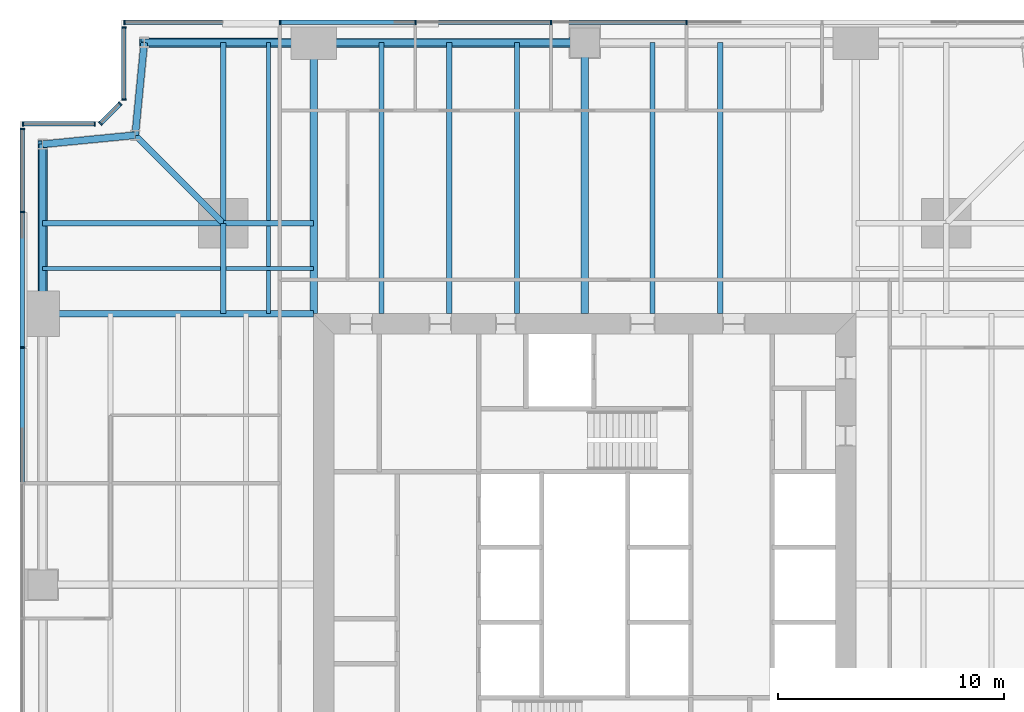
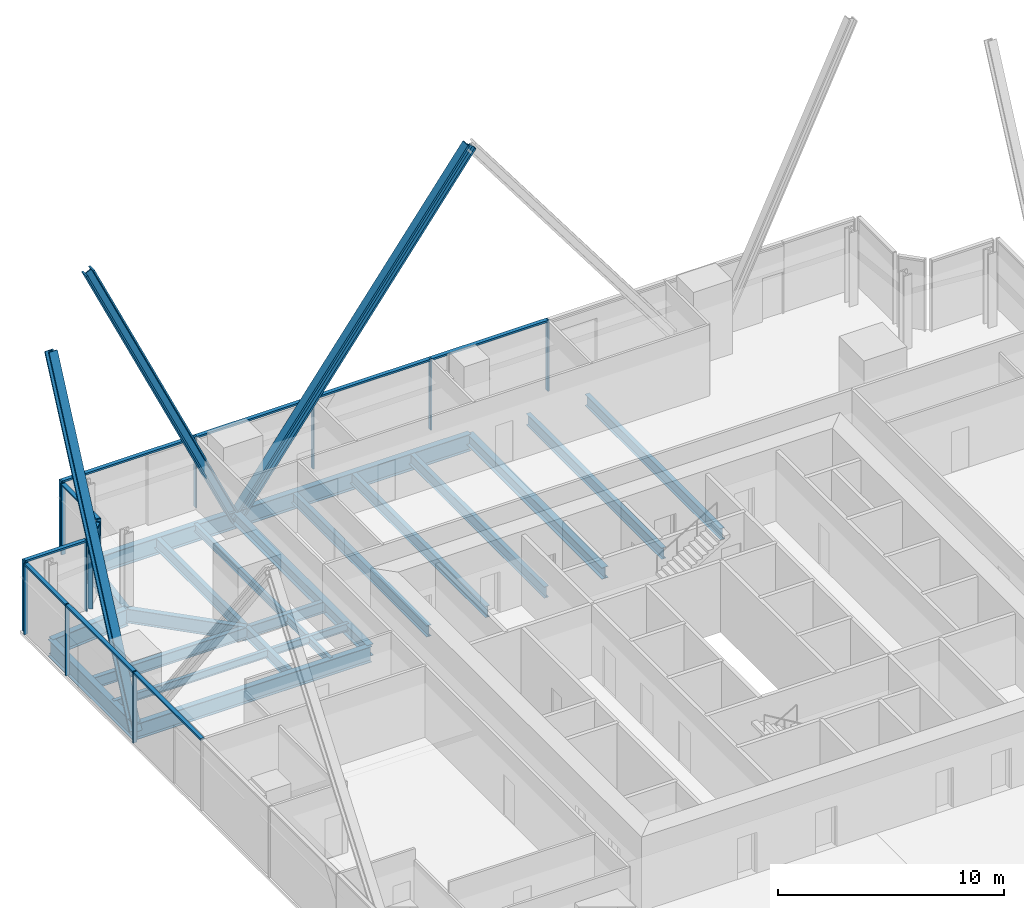
# One storey, part 6 of 14: 27 members, 23 beams, 5 elements without a shape of their own.
"""IFC4 building model written with IfcOpenShell, lengths in metres."""

from ifc_helpers import new_model, si_unit, direction, frame, origin, origin_2d, place, context, subcontext, project, spatial, rectangle, i_section, extrude, material, material_profile, profile_set, type_object, element, aggregate, save


model = new_model("IFC4")

# Units and contexts
model_context = context("Model", 3, precision=1e-05, world=origin(), true_north=direction((0.0, 1.0)))
body_context = subcontext(model_context, "Body", "Model", "MODEL_VIEW")
ifc_project = project(units=[si_unit("LENGTHUNIT", "METRE"), si_unit("AREAUNIT", "SQUARE_METRE"), si_unit("VOLUMEUNIT", "CUBIC_METRE"), si_unit("PLANEANGLEUNIT", "RADIAN"), si_unit("MASSUNIT", "GRAM", prefix="KILO")], contexts=[model_context])

# Site, building, storey
site_placement = place(None, origin())
site = spatial("IfcSite", under=ifc_project, at=site_placement, CompositionType="ELEMENT")
building_placement = place(site_placement, origin())
building = spatial("IfcBuilding", under=site, at=building_placement, Name="Fenwick Lantern Interchange", CompositionType="ELEMENT")
storey_placement = place(building_placement, frame((0.0, 0.0, 130.39990234375)))
storey = spatial("IfcBuildingStorey", under=building, at=storey_placement, Name="L30", CompositionType="ELEMENT", Elevation=130.39990234375)

# Beams
ifc_material_1 = material(Name="Steel ASTM A992 Grade 50", Category="steel")
ifc_material_profile_1 = material_profile(ifc_material_1, i_section(OverallWidth=0.3046875, OverallDepth=0.911865234375, WebThickness=0.015869140625, FlangeThickness=0.02392578125, at=origin_2d()), Name="W36X150")
ifc_profile_set_1 = profile_set([ifc_material_profile_1], Name="Steel ASTM A992 Grade 50")
beam_type_1 = type_object("IfcBeamType", Name="EDGE BEAM W36X150", PredefinedType="SPANDREL", material=ifc_profile_set_1)
beam_1_placement = place(storey_placement, frame((25.0, 49.0, -0.605712890625), z_axis=(-1.0, 0.0, 0.0), x_axis=(0.0, -1.0, 0.0)))
element("IfcBeam", 1, at=beam_1_placement, inside=storey, type_object=beam_type_1, Name="L30/FR/N/EB3", PredefinedType="SPANDREL", context=body_context, shape_type="SweptSolid", body=[
    extrude(i_section(OverallWidth=0.3046875, OverallDepth=0.911865234375, WebThickness=0.015869140625, FlangeThickness=0.02392578125, at=origin_2d()), origin(), (0.0, 0.0, 1.0), 12.0),
])
beam_2_placement = place(storey_placement, frame((13.0, 49.0, -0.605712890625), z_axis=(-1.0, 0.0, 0.0), x_axis=(0.0, -1.0, 0.0)))
element("IfcBeam", 2, at=beam_2_placement, inside=storey, type_object=beam_type_1, Name="L30/FR/N/EB4", PredefinedType="SPANDREL", context=body_context, shape_type="SweptSolid", body=[
    extrude(i_section(OverallWidth=0.3046875, OverallDepth=0.911865234375, WebThickness=0.015869140625, FlangeThickness=0.02392578125, at=origin_2d()), origin(), (0.0, 0.0, 1.0), 7.5),
])
for number, where, z_axis, x_axis, name in (
    (3, (5.5, 49.0, -0.605712890625), (-0.097074191287, -0.995277148028, 0.0), (0.995277148028, -0.097074191287, 0.0), "L30/FR/N/EBR1"),
    (4, (5.10009765625, 44.89990234375, -0.605712890625), (-0.995277148028, -0.097074191287, 0.0), (0.097074191287, -0.995277148028, 0.0), "L30/FR/N/EBR2"),
):
    element("IfcBeam", number, at=place(storey_placement, frame(where, z_axis=z_axis, x_axis=x_axis)), inside=storey, type_object=beam_type_1, Name=name, PredefinedType="SPANDREL", context=body_context, shape_type="SweptSolid", body=[
        extrude(i_section(OverallWidth=0.3046875, OverallDepth=0.911865234375, WebThickness=0.015869140625, FlangeThickness=0.02392578125, at=origin_2d()), origin(), (0.0, 0.0, 1.0), 4.11962890625),
    ])
beam_3_placement = place(storey_placement, frame((1.0, 44.5, -0.605712890625), z_axis=(0.0, -1.0, 0.0), x_axis=(1.0, 0.0, 0.0)))
element("IfcBeam", 5, at=beam_3_placement, inside=storey, type_object=beam_type_1, Name="L30/FR/W/EB1", PredefinedType="SPANDREL", context=body_context, shape_type="SweptSolid", body=[
    extrude(i_section(OverallWidth=0.3046875, OverallDepth=0.911865234375, WebThickness=0.015869140625, FlangeThickness=0.02392578125, at=origin_2d()), origin(), (0.0, 0.0, 1.0), 7.5),
])

# Members
ifc_material_profile_2 = material_profile(ifc_material_1, i_section(OverallWidth=0.424072265625, OverallDepth=0.47509765625, WebThickness=0.0478515625, FlangeThickness=0.0771484375, at=origin_2d()), Name="W14X426")
ifc_profile_set_2 = profile_set([ifc_material_profile_2], Name="Steel ASTM A992 Grade 50")
member_type_1 = type_object("IfcMemberType", Name="FACADE BRACE W14X426", PredefinedType="BRACE", material=ifc_profile_set_2)
for number, where, z_axis, x_axis, name in (
    (6, (13.0, 49.0, -0.605712890625), (-0.424433876231, 0.0, 0.905458935959), (0.0, -1.0, 0.0), "L30/FB/N/BE"),
    (7, (1.0, 37.0, -0.605712890625), (0.0, 0.424433876231, 0.905458935959), (-1.0, 0.0, 0.0), "L30/FB/W/AE"),
):
    element("IfcMember", number, at=place(storey_placement, frame(where, z_axis=z_axis, x_axis=x_axis)), inside=storey, type_object=member_type_1, Name=name, PredefinedType="BRACE", context=body_context, shape_type="SweptSolid", body=[
        extrude(i_section(OverallWidth=0.424072265625, OverallDepth=0.47509765625, WebThickness=0.0478515625, FlangeThickness=0.0771484375, at=origin_2d()), origin(), (0.0, 0.0, 1.0), 17.670654296875),
    ])
ifc_material_profile_3 = material_profile(ifc_material_1, i_section(OverallWidth=0.44189453125, OverallDepth=0.53076171875, WebThickness=0.06591796875, FlangeThickness=0.105712890625, at=origin_2d()), Name="W14X605")
ifc_profile_set_3 = profile_set([ifc_material_profile_3], Name="Steel ASTM A992 Grade 50")
member_type_2 = type_object("IfcMemberType", Name="FACADE BRACE W14X605", PredefinedType="BRACE", material=ifc_profile_set_3)
member_1_placement = place(storey_placement, frame((13.0, 49.0, -0.605712890625), z_axis=(0.6, 0.0, 0.8), x_axis=(0.0, 1.0, 0.0)))
element("IfcMember", 8, at=member_1_placement, inside=storey, type_object=member_type_2, Name="L30/FB/N/B", PredefinedType="BRACE", context=body_context, shape_type="SweptSolid", body=[
    extrude(i_section(OverallWidth=0.44189453125, OverallDepth=0.53076171875, WebThickness=0.06591796875, FlangeThickness=0.105712890625, at=origin_2d()), origin(), (0.0, 0.0, 1.0), 20.0),
])

# Beams
ifc_material_profile_4 = material_profile(ifc_material_1, i_section(OverallWidth=0.22900390625, OverallDepth=0.612060546875, WebThickness=0.011962890625, FlangeThickness=0.01953125, at=origin_2d()), Name="W24X84")
ifc_profile_set_4 = profile_set([ifc_material_profile_4], Name="Steel ASTM A992 Grade 50")
beam_type_2 = type_object("IfcBeamType", Name="FLOOR BEAM W24X84", PredefinedType="BEAM", material=ifc_profile_set_4)
for number, where, z_axis, x_axis, name in (
    (9, (31.0, 49.0, -0.4560546875), (0.0, -1.0, 0.0), (1.0, 0.0, 0.0), "L30/FR/N/R03"),
    (10, (28.0, 49.0, -0.4560546875), (0.0, -1.0, 0.0), (1.0, 0.0, 0.0), "L30/FR/N/R04"),
    (11, (22.0, 49.0, -0.4560546875), (0.0, -1.0, 0.0), (1.0, 0.0, 0.0), "L30/FR/N/R06"),
    (12, (19.0, 49.0, -0.4560546875), (0.0, -1.0, 0.0), (1.0, 0.0, 0.0), "L30/FR/N/R07"),
    (13, (16.0, 49.0, -0.4560546875), (0.0, -1.0, 0.0), (1.0, 0.0, 0.0), "L30/FR/N/R08"),
):
    element("IfcBeam", number, at=place(storey_placement, frame(where, z_axis=z_axis, x_axis=x_axis)), inside=storey, type_object=beam_type_2, Name=name, PredefinedType="BEAM", context=body_context, shape_type="SweptSolid", body=[
        extrude(i_section(OverallWidth=0.22900390625, OverallDepth=0.612060546875, WebThickness=0.011962890625, FlangeThickness=0.01953125, at=origin_2d()), origin(), (0.0, 0.0, 1.0), 12.0),
    ])
ifc_material_profile_5 = material_profile(ifc_material_1, i_section(OverallWidth=0.177734375, OverallDepth=0.406494140625, WebThickness=0.0078125, FlangeThickness=0.012939453125, at=origin_2d()), Name="W16X40")
ifc_profile_set_5 = profile_set([ifc_material_profile_5], Name="Steel ASTM A992 Grade 50")
beam_type_3 = type_object("IfcBeamType", Name="INFILL BEAM W16X40", PredefinedType="JOIST", material=ifc_profile_set_5)
beam_4_placement = place(storey_placement, frame((1.0, 39.0, -0.35302734375), z_axis=(1.0, 0.0, 0.0), x_axis=(0.0, 1.0, 0.0)))
element("IfcBeam", 14, at=beam_4_placement, inside=storey, type_object=beam_type_3, Name="L30/FR/W/J1", PredefinedType="JOIST", context=body_context, shape_type="SweptSolid", body=[
    extrude(i_section(OverallWidth=0.177734375, OverallDepth=0.406494140625, WebThickness=0.0078125, FlangeThickness=0.012939453125, at=origin_2d()), origin(), (0.0, 0.0, 1.0), 7.885498046875),
])
beam_5_placement = place(storey_placement, frame((9.114501953125, 39.0, -0.35302734375), z_axis=(1.0, 0.0, 0.0), x_axis=(0.0, 1.0, 0.0)))
element("IfcBeam", 15, at=beam_5_placement, inside=storey, type_object=beam_type_3, Name="L30/FR/W/J2", PredefinedType="JOIST", context=body_context, shape_type="SweptSolid", body=[
    extrude(i_section(OverallWidth=0.177734375, OverallDepth=0.406494140625, WebThickness=0.0078125, FlangeThickness=0.012939453125, at=origin_2d()), origin(), (0.0, 0.0, 1.0), 3.885498046875),
])
beam_6_placement = place(storey_placement, frame((11.0, 49.0, -0.35302734375), z_axis=(0.0, -1.0, 0.0), x_axis=(1.0, 0.0, 0.0)))
element("IfcBeam", 16, at=beam_6_placement, inside=storey, type_object=beam_type_3, Name="L30/FR/W/J3", PredefinedType="JOIST", context=body_context, shape_type="SweptSolid", body=[
    extrude(i_section(OverallWidth=0.177734375, OverallDepth=0.406494140625, WebThickness=0.0078125, FlangeThickness=0.012939453125, at=origin_2d()), origin(), (0.0, 0.0, 1.0), 7.885498046875),
])
beam_7_placement = place(storey_placement, frame((11.0, 40.885498046875, -0.35302734375), z_axis=(0.0, -1.0, 0.0), x_axis=(1.0, 0.0, 0.0)))
element("IfcBeam", 17, at=beam_7_placement, inside=storey, type_object=beam_type_3, Name="L30/FR/W/J4", PredefinedType="JOIST", context=body_context, shape_type="SweptSolid", body=[
    extrude(i_section(OverallWidth=0.177734375, OverallDepth=0.406494140625, WebThickness=0.0078125, FlangeThickness=0.012939453125, at=origin_2d()), origin(), (0.0, 0.0, 1.0), 1.796630859375),
])
beam_8_placement = place(storey_placement, frame((11.0, 38.9111328125, -0.35302734375), z_axis=(0.0, -1.0, 0.0), x_axis=(1.0, 0.0, 0.0)))
element("IfcBeam", 18, at=beam_8_placement, inside=storey, type_object=beam_type_3, Name="L30/FR/W/J5", PredefinedType="JOIST", context=body_context, shape_type="SweptSolid", body=[
    extrude(i_section(OverallWidth=0.177734375, OverallDepth=0.406494140625, WebThickness=0.0078125, FlangeThickness=0.012939453125, at=origin_2d()), origin(), (0.0, 0.0, 1.0), 1.9111328125),
])
ifc_material_profile_6 = material_profile(ifc_material_1, i_section(OverallWidth=0.22900390625, OverallDepth=0.612060546875, WebThickness=0.011962890625, FlangeThickness=0.01953125, at=origin_2d()), Name="W24X84")
ifc_profile_set_6 = profile_set([ifc_material_profile_6], Name="Steel ASTM A992 Grade 50")
beam_type_4 = type_object("IfcBeamType", Name="MEGA COLUMN BEAM W24X84", PredefinedType="BEAM", material=ifc_profile_set_6)
for number, where, z_axis, x_axis, name in (
    (19, (9.0, 41.0, -0.4560546875), (-1.0, 0.0, 0.0), (0.0, -1.0, 0.0), "L30/FR/W/MB1"),
    (20, (9.0, 41.0, -0.4560546875), (0.0, 1.0, 0.0), (-1.0, 0.0, 0.0), "L30/FR/W/MB2"),
):
    element("IfcBeam", number, at=place(storey_placement, frame(where, z_axis=z_axis, x_axis=x_axis)), inside=storey, type_object=beam_type_4, Name=name, PredefinedType="BEAM", context=body_context, shape_type="SweptSolid", body=[
        extrude(i_section(OverallWidth=0.22900390625, OverallDepth=0.612060546875, WebThickness=0.011962890625, FlangeThickness=0.01953125, at=origin_2d()), origin(), (0.0, 0.0, 1.0), 8.0),
    ])
for number, where, z_axis, x_axis, name in (
    (21, (9.0, 41.0, -0.4560546875), (0.0, -1.0, 0.0), (1.0, 0.0, 0.0), "L30/FR/W/MB3"),
    (22, (9.0, 41.0, -0.4560546875), (1.0, 0.0, 0.0), (0.0, 1.0, 0.0), "L30/FR/W/MB4"),
):
    element("IfcBeam", number, at=place(storey_placement, frame(where, z_axis=z_axis, x_axis=x_axis)), inside=storey, type_object=beam_type_4, Name=name, PredefinedType="BEAM", context=body_context, shape_type="SweptSolid", body=[
        extrude(i_section(OverallWidth=0.22900390625, OverallDepth=0.612060546875, WebThickness=0.011962890625, FlangeThickness=0.01953125, at=origin_2d()), origin(), (0.0, 0.0, 1.0), 4.0),
    ])
ifc_material_profile_7 = material_profile(ifc_material_1, i_section(OverallWidth=0.32763671875, OverallDepth=0.622314453125, WebThickness=0.015380859375, FlangeThickness=0.0244140625, at=origin_2d()), Name="W24X131")
ifc_profile_set_7 = profile_set([ifc_material_profile_7], Name="Steel ASTM A992 Grade 50")
beam_type_5 = type_object("IfcBeamType", Name="MOMENT-CONNECTED GIRDER W24X131", PredefinedType="BEAM", material=ifc_profile_set_7)
for number, where, z_axis, x_axis, name in (
    (23, (25.0, 49.0, -0.4609375), (0.0, -1.0, 0.0), (1.0, 0.0, 0.0), "L30/FR/N/R05"),
    (24, (13.0, 49.0, -0.4609375), (0.0, -1.0, 0.0), (1.0, 0.0, 0.0), "L30/FR/N/R09"),
):
    element("IfcBeam", number, at=place(storey_placement, frame(where, z_axis=z_axis, x_axis=x_axis)), inside=storey, type_object=beam_type_5, Name=name, PredefinedType="BEAM", context=body_context, shape_type="SweptSolid", body=[
        extrude(i_section(OverallWidth=0.32763671875, OverallDepth=0.622314453125, WebThickness=0.015380859375, FlangeThickness=0.0244140625, at=origin_2d()), origin(), (0.0, 0.0, 1.0), 12.0),
    ])
ifc_material_profile_8 = material_profile(ifc_material_1, i_section(OverallWidth=0.2919921875, OverallDepth=0.845703125, WebThickness=0.015380859375, FlangeThickness=0.0244140625, at=origin_2d()), Name="W33X141")
ifc_profile_set_8 = profile_set([ifc_material_profile_8], Name="Steel ASTM A992 Grade 50")
beam_type_6 = type_object("IfcBeamType", Name="MOMENT-CONNECTED GIRDER W33X141", PredefinedType="BEAM", material=ifc_profile_set_8)
beam_9_placement = place(storey_placement, frame((1.0, 37.0, -0.57275390625), z_axis=(1.0, 0.0, 0.0), x_axis=(0.0, 1.0, 0.0)))
element("IfcBeam", 25, at=beam_9_placement, inside=storey, type_object=beam_type_6, Name="L30/FR/W/R01", PredefinedType="BEAM", context=body_context, shape_type="SweptSolid", body=[
    extrude(i_section(OverallWidth=0.2919921875, OverallDepth=0.845703125, WebThickness=0.015380859375, FlangeThickness=0.0244140625, at=origin_2d()), origin(), (0.0, 0.0, 1.0), 12.0),
])
ifc_material_profile_9 = material_profile(ifc_material_1, i_section(OverallWidth=0.2666015625, OverallDepth=0.7568359375, WebThickness=0.013916015625, FlangeThickness=0.019287109375, at=origin_2d()), Name="W30X108")
ifc_profile_set_9 = profile_set([ifc_material_profile_9], Name="Steel ASTM A992 Grade 50")
beam_type_7 = type_object("IfcBeamType", Name="NOTCH BEAM W30X108", PredefinedType="BEAM", material=ifc_profile_set_9)
beam_10_placement = place(storey_placement, frame((9.0, 41.0, -0.5283203125), z_axis=(-0.707106781187, 0.707106781187, 0.0), x_axis=(-0.707106781187, -0.707106781187, 0.0)))
element("IfcBeam", 26, at=beam_10_placement, inside=storey, type_object=beam_type_7, Name="L30/FR/W/TG", PredefinedType="BEAM", context=body_context, shape_type="SweptSolid", body=[
    extrude(i_section(OverallWidth=0.2666015625, OverallDepth=0.7568359375, WebThickness=0.013916015625, FlangeThickness=0.019287109375, at=origin_2d()), origin(), (0.0, 0.0, 1.0), 5.515380859375),
])

# Curtain wall, members
ifc_material_2 = material(Name="Aluminium curtain wall frame", Category="aluminium")
curtain_wall_type = type_object("IfcCurtainWallType", Name="OFFICE CURTAIN WALL", PredefinedType="USERDEFINED", material=ifc_material_2)
curtain_wall_1_placement = place(storey_placement, origin())
curtain_wall_1 = element("IfcCurtainWall", 27, at=curtain_wall_1_placement, inside=storey, type_object=curtain_wall_type, Name="Office curtain wall 09", ObjectType="OFFICE CURTAIN WALL", PredefinedType="USERDEFINED")
ifc_material_3 = material(Name="Aluminium extrusion", Category="aluminium")
ifc_material_profile_10 = material_profile(ifc_material_3, rectangle(XDim=0.199951171875, YDim=0.06494140625, at=origin_2d()), Name="OFFICE CURTAIN WALL MULLION 65 X 200")
ifc_profile_set_10 = profile_set([ifc_material_profile_10], Name="Aluminium extrusion")
member_type_3 = type_object("IfcMemberType", Name="OFFICE CURTAIN WALL MULLION 65 X 200", PredefinedType="MULLION", material=ifc_profile_set_10)
member_2_placement = place(storey_placement, frame((29.5, 49.89990234375, 0.0), z_axis=(0.0, 0.0, 1.0), x_axis=(0.0, -1.0, 0.0)))
member_2 = element("IfcMember", 28, at=member_2_placement, type_object=member_type_3, Name="L30/CW/09/M03", PredefinedType="MULLION", context=body_context, shape_type="SweptSolid", body=[
    extrude(rectangle(XDim=0.199951171875, YDim=0.06494140625, at=origin_2d()), origin(), (0.0, 0.0, 1.0), 3.85009765625),
])
member_3_placement = place(storey_placement, frame((23.5, 49.89990234375, 0.0), z_axis=(0.0, 0.0, 1.0), x_axis=(0.0, -1.0, 0.0)))
member_3 = element("IfcMember", 29, at=member_3_placement, type_object=member_type_3, Name="L30/CW/09/M04", PredefinedType="MULLION", context=body_context, shape_type="SweptSolid", body=[
    extrude(rectangle(XDim=0.199951171875, YDim=0.06494140625, at=origin_2d()), origin(), (0.0, 0.0, 1.0), 3.85009765625),
])
member_4_placement = place(storey_placement, frame((17.5, 49.89990234375, 0.0), z_axis=(0.0, 0.0, 1.0), x_axis=(0.0, -1.0, 0.0)))
member_4 = element("IfcMember", 30, at=member_4_placement, type_object=member_type_3, Name="L30/CW/09/M05", PredefinedType="MULLION", context=body_context, shape_type="SweptSolid", body=[
    extrude(rectangle(XDim=0.199951171875, YDim=0.06494140625, at=origin_2d()), origin(), (0.0, 0.0, 1.0), 3.85009765625),
])
member_5_placement = place(storey_placement, frame((11.5, 49.89990234375, 0.0), z_axis=(0.0, 0.0, 1.0), x_axis=(0.0, -1.0, 0.0)))
member_5 = element("IfcMember", 31, at=member_5_placement, type_object=member_type_3, Name="L30/CW/09/M06", PredefinedType="MULLION", context=body_context, shape_type="SweptSolid", body=[
    extrude(rectangle(XDim=0.199951171875, YDim=0.06494140625, at=origin_2d()), origin(), (0.0, 0.0, 1.0), 3.85009765625),
])
member_6_placement = place(storey_placement, frame((4.632568359375, 49.89990234375, 0.0), z_axis=(0.0, 0.0, 1.0), x_axis=(0.0, -1.0, 0.0)))
member_6 = element("IfcMember", 32, at=member_6_placement, type_object=member_type_3, Name="L30/CW/09/M07", PredefinedType="MULLION", context=body_context, shape_type="SweptSolid", body=[
    extrude(rectangle(XDim=0.199951171875, YDim=0.06494140625, at=origin_2d()), origin(), (0.0, 0.0, 1.0), 3.85009765625),
])

curtain_wall_2_placement = place(storey_placement, origin())
curtain_wall_2 = element("IfcCurtainWall", 33, at=curtain_wall_2_placement, inside=storey, type_object=curtain_wall_type, Name="Office curtain wall 10", ObjectType="OFFICE CURTAIN WALL", PredefinedType="USERDEFINED")
member_7_placement = place(storey_placement, frame((4.60009765625, 49.66748046875, 0.0), z_axis=(0.0, 0.0, 1.0), x_axis=(1.0, 0.0, 0.0)))
member_7 = element("IfcMember", 34, at=member_7_placement, type_object=member_type_3, Name="L30/CW/10/M00", PredefinedType="MULLION", context=body_context, shape_type="SweptSolid", body=[
    extrude(rectangle(XDim=0.199951171875, YDim=0.06494140625, at=origin_2d()), origin(), (0.0, 0.0, 1.0), 3.85009765625),
])
member_8_placement = place(storey_placement, frame((4.60009765625, 46.490966796875, 0.0), z_axis=(0.0, 0.0, 1.0), x_axis=(1.0, 0.0, 0.0)))
member_8 = element("IfcMember", 35, at=member_8_placement, type_object=member_type_3, Name="L30/CW/10/M01", PredefinedType="MULLION", context=body_context, shape_type="SweptSolid", body=[
    extrude(rectangle(XDim=0.199951171875, YDim=0.06494140625, at=origin_2d()), origin(), (0.0, 0.0, 1.0), 3.85009765625),
])

curtain_wall_3_placement = place(storey_placement, origin())
curtain_wall_3 = element("IfcCurtainWall", 36, at=curtain_wall_3_placement, inside=storey, type_object=curtain_wall_type, Name="Office curtain wall 11", ObjectType="OFFICE CURTAIN WALL", PredefinedType="USERDEFINED")
member_9_placement = place(storey_placement, frame((4.435546875, 46.294189453125, 0.0), z_axis=(0.0, 0.0, 1.0), x_axis=(0.707106781187, -0.707106781187, 0.0)))
member_9 = element("IfcMember", 37, at=member_9_placement, type_object=member_type_3, Name="L30/CW/11/M00", PredefinedType="MULLION", context=body_context, shape_type="SweptSolid", body=[
    extrude(rectangle(XDim=0.199951171875, YDim=0.06494140625, at=origin_2d()), origin(), (0.0, 0.0, 1.0), 3.85009765625),
])
member_10_placement = place(storey_placement, frame((3.564453125, 45.423095703125, 0.0), z_axis=(0.0, 0.0, 1.0), x_axis=(0.707106781187, -0.707106781187, 0.0)))
member_10 = element("IfcMember", 38, at=member_10_placement, type_object=member_type_3, Name="L30/CW/11/M01", PredefinedType="MULLION", context=body_context, shape_type="SweptSolid", body=[
    extrude(rectangle(XDim=0.199951171875, YDim=0.06494140625, at=origin_2d()), origin(), (0.0, 0.0, 1.0), 3.85009765625),
])

curtain_wall_4_placement = place(storey_placement, origin())
curtain_wall_4 = element("IfcCurtainWall", 39, at=curtain_wall_4_placement, inside=storey, type_object=curtain_wall_type, Name="Office curtain wall 12", ObjectType="OFFICE CURTAIN WALL", PredefinedType="USERDEFINED")
member_11_placement = place(storey_placement, frame((3.308837890625, 45.39990234375, 0.0), z_axis=(0.0, 0.0, 1.0), x_axis=(0.0, -1.0, 0.0)))
member_11 = element("IfcMember", 40, at=member_11_placement, type_object=member_type_3, Name="L30/CW/12/M00", PredefinedType="MULLION", context=body_context, shape_type="SweptSolid", body=[
    extrude(rectangle(XDim=0.199951171875, YDim=0.06494140625, at=origin_2d()), origin(), (0.0, 0.0, 1.0), 3.85009765625),
])
member_12_placement = place(storey_placement, frame((0.132568359375, 45.39990234375, 0.0), z_axis=(0.0, 0.0, 1.0), x_axis=(0.0, -1.0, 0.0)))
member_12 = element("IfcMember", 41, at=member_12_placement, type_object=member_type_3, Name="L30/CW/12/M01", PredefinedType="MULLION", context=body_context, shape_type="SweptSolid", body=[
    extrude(rectangle(XDim=0.199951171875, YDim=0.06494140625, at=origin_2d()), origin(), (0.0, 0.0, 1.0), 3.85009765625),
])

curtain_wall_5_placement = place(storey_placement, origin())
curtain_wall_5 = element("IfcCurtainWall", 42, at=curtain_wall_5_placement, inside=storey, type_object=curtain_wall_type, Name="Office curtain wall 13", ObjectType="OFFICE CURTAIN WALL", PredefinedType="USERDEFINED")
member_13_placement = place(storey_placement, frame((0.10009765625, 45.16748046875, 0.0), z_axis=(0.0, 0.0, 1.0), x_axis=(1.0, 0.0, 0.0)))
member_13 = element("IfcMember", 43, at=member_13_placement, type_object=member_type_3, Name="L30/CW/13/M00", PredefinedType="MULLION", context=body_context, shape_type="SweptSolid", body=[
    extrude(rectangle(XDim=0.199951171875, YDim=0.06494140625, at=origin_2d()), origin(), (0.0, 0.0, 1.0), 3.85009765625),
])
member_14_placement = place(storey_placement, frame((0.10009765625, 41.5, 0.0), z_axis=(0.0, 0.0, 1.0), x_axis=(1.0, 0.0, 0.0)))
member_14 = element("IfcMember", 44, at=member_14_placement, type_object=member_type_3, Name="L30/CW/13/M01", PredefinedType="MULLION", context=body_context, shape_type="SweptSolid", body=[
    extrude(rectangle(XDim=0.199951171875, YDim=0.06494140625, at=origin_2d()), origin(), (0.0, 0.0, 1.0), 3.85009765625),
])
member_15_placement = place(storey_placement, frame((0.10009765625, 35.5, 0.0), z_axis=(0.0, 0.0, 1.0), x_axis=(1.0, 0.0, 0.0)))
member_15 = element("IfcMember", 45, at=member_15_placement, type_object=member_type_3, Name="L30/CW/13/M02", PredefinedType="MULLION", context=body_context, shape_type="SweptSolid", body=[
    extrude(rectangle(XDim=0.199951171875, YDim=0.06494140625, at=origin_2d()), origin(), (0.0, 0.0, 1.0), 3.85009765625),
])

# Member
ifc_material_profile_11 = material_profile(ifc_material_3, rectangle(XDim=0.199951171875, YDim=0.10009765625, at=origin_2d()), Name="OFFICE CURTAIN WALL TRANSOM 100 X 200")
ifc_profile_set_11 = profile_set([ifc_material_profile_11], Name="Aluminium extrusion")
member_type_4 = type_object("IfcMemberType", Name="OFFICE CURTAIN WALL TRANSOM 100 X 200", PredefinedType="MULLION", material=ifc_profile_set_11)
member_16_placement = place(storey_placement, frame((29.467529296875, 49.89990234375, 3.800048828125), z_axis=(-1.0, 0.0, 0.0), x_axis=(0.0, -1.0, 0.0)))
member_16 = element("IfcMember", 46, at=member_16_placement, type_object=member_type_4, Name="L30/CW/09/T03", PredefinedType="MULLION", context=body_context, shape_type="SweptSolid", body=[
    extrude(rectangle(XDim=0.199951171875, YDim=0.10009765625, at=origin_2d()), origin(), (0.0, 0.0, 1.0), 5.93505859375),
])

member_17_placement = place(storey_placement, frame((23.467529296875, 49.89990234375, 3.800048828125), z_axis=(-1.0, 0.0, 0.0), x_axis=(0.0, -1.0, 0.0)))
member_17 = element("IfcMember", 47, at=member_17_placement, type_object=member_type_4, Name="L30/CW/09/T04", PredefinedType="MULLION", context=body_context, shape_type="SweptSolid", body=[
    extrude(rectangle(XDim=0.199951171875, YDim=0.10009765625, at=origin_2d()), origin(), (0.0, 0.0, 1.0), 5.93505859375),
])

member_18_placement = place(storey_placement, frame((17.467529296875, 49.89990234375, 3.800048828125), z_axis=(-1.0, 0.0, 0.0), x_axis=(0.0, -1.0, 0.0)))
member_18 = element("IfcMember", 48, at=member_18_placement, type_object=member_type_4, Name="L30/CW/09/T05", PredefinedType="MULLION", context=body_context, shape_type="SweptSolid", body=[
    extrude(rectangle(XDim=0.199951171875, YDim=0.10009765625, at=origin_2d()), origin(), (0.0, 0.0, 1.0), 5.93505859375),
])

member_19_placement = place(storey_placement, frame((11.467529296875, 49.89990234375, 3.800048828125), z_axis=(-1.0, 0.0, 0.0), x_axis=(0.0, -1.0, 0.0)))
member_19 = element("IfcMember", 49, at=member_19_placement, type_object=member_type_4, Name="L30/CW/09/T06", PredefinedType="MULLION", context=body_context, shape_type="SweptSolid", body=[
    extrude(rectangle(XDim=0.199951171875, YDim=0.10009765625, at=origin_2d()), origin(), (0.0, 0.0, 1.0), 6.802490234375),
])

aggregate(curtain_wall_1, [member_2, member_3, member_4, member_5, member_6, member_16, member_17, member_18, member_19])

member_20_placement = place(storey_placement, frame((4.60009765625, 49.635009765625, 3.800048828125), z_axis=(0.0, -1.0, 0.0), x_axis=(1.0, 0.0, 0.0)))
member_20 = element("IfcMember", 50, at=member_20_placement, type_object=member_type_4, Name="L30/CW/10/T00", PredefinedType="MULLION", context=body_context, shape_type="SweptSolid", body=[
    extrude(rectangle(XDim=0.199951171875, YDim=0.10009765625, at=origin_2d()), origin(), (0.0, 0.0, 1.0), 3.111328125),
])

aggregate(curtain_wall_2, [member_7, member_8, member_20])

member_21_placement = place(storey_placement, frame((4.41259765625, 46.271240234375, 3.800048828125), z_axis=(-0.707106781187, -0.707106781187, 0.0), x_axis=(0.707106781187, -0.707106781187, 0.0)))
member_21 = element("IfcMember", 51, at=member_21_placement, type_object=member_type_4, Name="L30/CW/11/T00", PredefinedType="MULLION", context=body_context, shape_type="SweptSolid", body=[
    extrude(rectangle(XDim=0.199951171875, YDim=0.10009765625, at=origin_2d()), origin(), (0.0, 0.0, 1.0), 1.1669921875),
])

aggregate(curtain_wall_3, [member_9, member_10, member_21])

member_22_placement = place(storey_placement, frame((3.2763671875, 45.39990234375, 3.800048828125), z_axis=(-1.0, 0.0, 0.0), x_axis=(0.0, -1.0, 0.0)))
member_22 = element("IfcMember", 52, at=member_22_placement, type_object=member_type_4, Name="L30/CW/12/T00", PredefinedType="MULLION", context=body_context, shape_type="SweptSolid", body=[
    extrude(rectangle(XDim=0.199951171875, YDim=0.10009765625, at=origin_2d()), origin(), (0.0, 0.0, 1.0), 3.111328125),
])

aggregate(curtain_wall_4, [member_11, member_12, member_22])

member_23_placement = place(storey_placement, frame((0.10009765625, 45.135009765625, 3.800048828125), z_axis=(0.0, -1.0, 0.0), x_axis=(1.0, 0.0, 0.0)))
member_23 = element("IfcMember", 53, at=member_23_placement, type_object=member_type_4, Name="L30/CW/13/T00", PredefinedType="MULLION", context=body_context, shape_type="SweptSolid", body=[
    extrude(rectangle(XDim=0.199951171875, YDim=0.10009765625, at=origin_2d()), origin(), (0.0, 0.0, 1.0), 3.6025390625),
])

member_24_placement = place(storey_placement, frame((0.10009765625, 41.467529296875, 3.800048828125), z_axis=(0.0, -1.0, 0.0), x_axis=(1.0, 0.0, 0.0)))
member_24 = element("IfcMember", 54, at=member_24_placement, type_object=member_type_4, Name="L30/CW/13/T01", PredefinedType="MULLION", context=body_context, shape_type="SweptSolid", body=[
    extrude(rectangle(XDim=0.199951171875, YDim=0.10009765625, at=origin_2d()), origin(), (0.0, 0.0, 1.0), 5.93505859375),
])

member_25_placement = place(storey_placement, frame((0.10009765625, 35.467529296875, 3.800048828125), z_axis=(0.0, -1.0, 0.0), x_axis=(1.0, 0.0, 0.0)))
member_25 = element("IfcMember", 55, at=member_25_placement, type_object=member_type_4, Name="L30/CW/13/T02", PredefinedType="MULLION", context=body_context, shape_type="SweptSolid", body=[
    extrude(rectangle(XDim=0.199951171875, YDim=0.10009765625, at=origin_2d()), origin(), (0.0, 0.0, 1.0), 5.93505859375),
])

aggregate(curtain_wall_5, [member_13, member_14, member_15, member_23, member_24, member_25])

save(model, "model.ifc")
